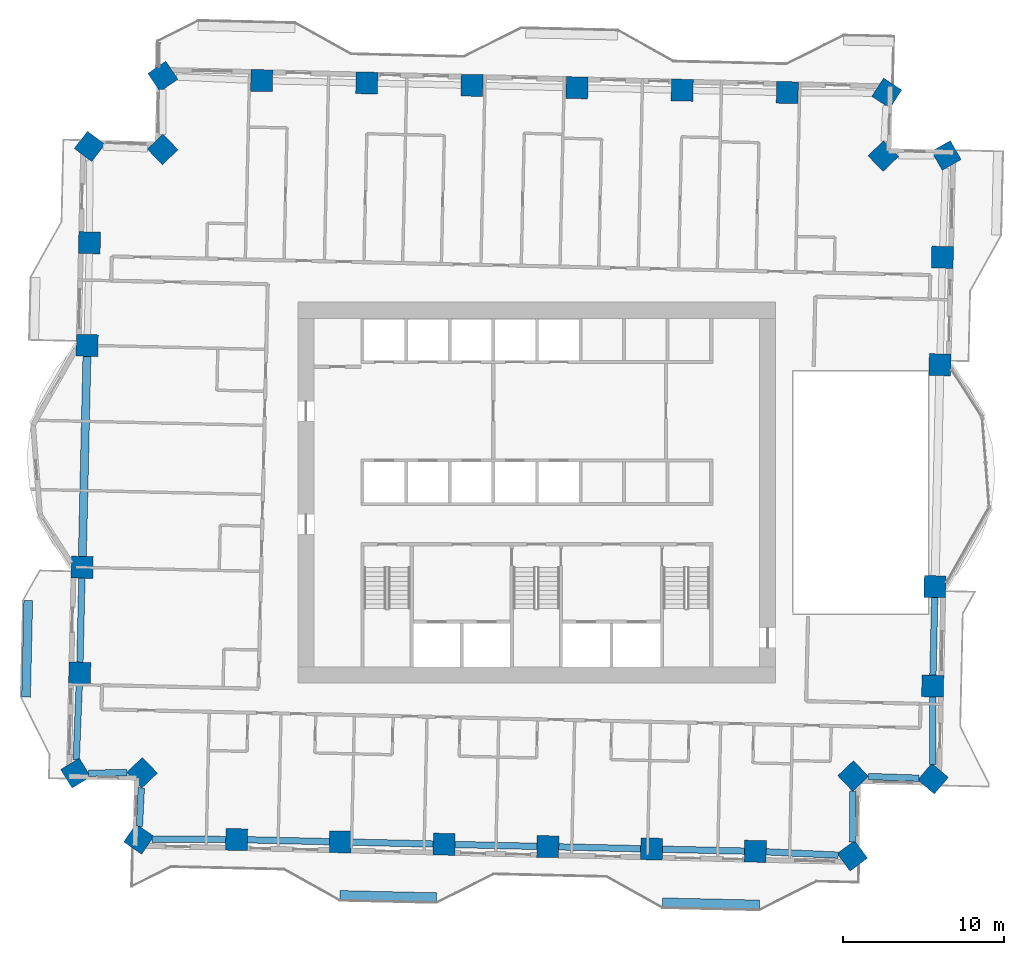
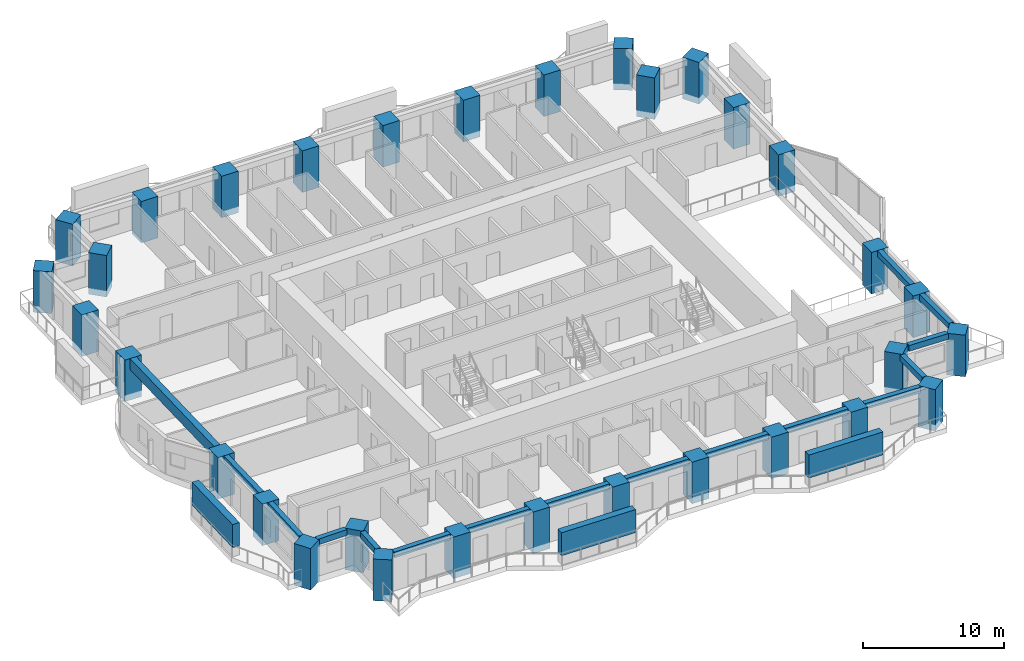
# One storey, part 1 of 16: 32 columns, 16 beams, 3 members.
"""IFC4 building model written with IfcOpenShell, lengths in metres."""

from ifc_helpers import new_model, si_unit, direction, frame, origin, origin_2d, place, context, subcontext, project, spatial, rectangle, extrude, material, material_profile, profile_set, type_object, element, save


model = new_model("IFC4")

# Units and contexts
model_context = context("Model", 3, precision=1e-05, world=origin(), true_north=direction((0.0, 1.0)))
body_context = subcontext(model_context, "Body", "Model", "MODEL_VIEW")
ifc_project = project(units=[si_unit("LENGTHUNIT", "METRE"), si_unit("AREAUNIT", "SQUARE_METRE"), si_unit("VOLUMEUNIT", "CUBIC_METRE"), si_unit("PLANEANGLEUNIT", "RADIAN"), si_unit("MASSUNIT", "GRAM", prefix="KILO")], contexts=[model_context])

# Site, building, storey
site_placement = place(None, origin())
site = spatial("IfcSite", under=ifc_project, at=site_placement, CompositionType="ELEMENT")
building_placement = place(site_placement, origin())
building = spatial("IfcBuilding", under=site, at=building_placement, Name="Mangrove Gate Tower", CompositionType="ELEMENT")
storey_placement = place(building_placement, frame((0.0, 0.0, 116.300048828125)))
storey = spatial("IfcBuildingStorey", under=building, at=storey_placement, Name="L29", CompositionType="ELEMENT", Elevation=116.300048828125)

# Columns
ifc_material_1 = material(Name="Concrete C70/85", Category="concrete")
ifc_material_profile_1 = material_profile(ifc_material_1, rectangle(XDim=1.35009765625, YDim=1.35009765625, at=origin_2d()))
ifc_profile_set_1 = profile_set([ifc_material_profile_1], Name="Concrete C70/85")
column_type = type_object("IfcColumnType", Name="Column RC 1350x1350 C70/85", PredefinedType="COLUMN", material=ifc_profile_set_1)
for number, where, z_axis, x_axis, name in (
    (1, (-28.17822265625, -4.624267578125, -0.550048828125), (0.0, 0.0, 1.0), (-0.022695691547, -0.999742419619, 0.0), "Column L29 W05"),
    (2, (-28.3271484375, -11.184326171875, -0.550048828125), (0.0, 0.0, 1.0), (-0.022705829297, -0.999742189425, 0.0), "Column L29 W06"),
    (3, (-28.574462890625, -17.379150390625, -0.550048828125), (0.0, 0.0, 1.0), (0.51980850099, -0.85428281166, 0.0), "Column L29 W07"),
    (4, (-24.464111328125, -17.358642578125, -0.550048828125), (0.0, 0.0, 1.0), (0.69093208713, -0.722919671176, 0.0), "Column L29 W08"),
    (5, (-24.6650390625, -21.46728515625, -0.550048828125), (0.0, 0.0, 1.0), (0.824584810142, -0.565738359034, 0.0), "Column L29 S01"),
    (6, (-18.603759765625, -21.4951171875, -0.550048828125), (0.0, 0.0, 1.0), (0.999742156532, -0.022707277547, 0.0), "Column L29 S02"),
    (7, (-12.17578125, -21.64111328125, -0.550048828125), (0.0, 0.0, 1.0), (0.999742156532, -0.022707277547, 0.0), "Column L29 S03"),
    (8, (-5.74755859375, -21.787109375, -0.550048828125), (0.0, 0.0, 1.0), (0.999742156532, -0.022707277547, 0.0), "Column L29 S04"),
    (9, (0.680419921875, -21.93310546875, -0.550048828125), (0.0, 0.0, 1.0), (0.999742156532, -0.022707277547, 0.0), "Column L29 S05"),
    (10, (7.108154296875, -22.0791015625, -0.550048828125), (0.0, 0.0, 1.0), (0.999743919101, -0.022629543109, 0.0), "Column L29 S06"),
    (11, (13.536376953125, -22.22412109375, -0.550048828125), (0.0, 0.0, 1.0), (0.999743919101, -0.022629543109, 0.0), "Column L29 S07"),
    (12, (19.546875, -22.5029296875, -0.550048828125), (0.0, 0.0, 1.0), (0.803200357552, 0.595708977294, 0.0), "Column L29 S08"),
    (13, (19.5966796875, -17.55908203125, -0.550048828125), (0.0, 0.0, 1.0), (0.722976563275, 0.690872556232, 0.0), "Column L29 E01"),
    (14, (24.546630859375, -17.722900390625, -0.550048828125), (0.0, 0.0, 1.0), (0.64744355459, 0.76211340601, 0.0), "Column L29 E02"),
    (15, (24.526123046875, -11.983642578125, -0.550048828125), (0.0, 0.0, 1.0), (0.022717711923, 0.99974191948, 0.0), "Column L29 E03"),
    (16, (24.666259765625, -5.82275390625, -0.550048828125), (0.0, 0.0, 1.0), (0.022698588047, 0.99974235386, 0.0), "Column L29 E04"),
    (17, (24.978271484375, 7.92431640625, -0.550048828125), (0.0, 0.0, 1.0), (0.022682447908, 0.999742720182, 0.0), "Column L29 E05"),
    (18, (25.129150390625, 14.584228515625, -0.550048828125), (0.0, 0.0, 1.0), (0.022665138693, 0.999743112748, 0.0), "Column L29 E06"),
    (19, (25.36865234375, 20.895751953125, -0.550048828125), (0.0, 0.0, 1.0), (-0.495140886792, 0.868812696861, 0.0), "Column L29 E07"),
    (20, (21.468017578125, 20.854736328125, -0.550048828125), (0.0, 0.0, 1.0), (-0.690837236726, 0.723010312757, 0.0), "Column L29 E08"),
    (21, (21.680908203125, 24.7529296875, -0.550048828125), (0.0, 0.0, 1.0), (-0.840169758103, 0.542323499001, 0.0), "Column L29 N01"),
    (22, (15.517822265625, 24.792236328125, -0.550048828125), (0.0, 0.0, 1.0), (-0.999743694319, 0.022639471488, 0.0), "Column L29 N02"),
    (23, (9.004638671875, 24.940185546875, -0.550048828125), (0.0, 0.0, 1.0), (-0.99974195437, 0.02271617643, 0.0), "Column L29 N03"),
    (24, (2.49072265625, 25.088134765625, -0.550048828125), (0.0, 0.0, 1.0), (-0.999741994016, 0.022714431551, 0.0), "Column L29 N04"),
    (25, (-4.0234375, 25.236083984375, -0.550048828125), (0.0, 0.0, 1.0), (-0.999741994016, 0.022714431551, 0.0), "Column L29 N05"),
    (26, (-10.537353515625, 25.38427734375, -0.550048828125), (0.0, 0.0, 1.0), (-0.99974195437, 0.02271617643, 0.0), "Column L29 N06"),
    (27, (-17.05029296875, 25.5322265625, -0.550048828125), (0.0, 0.0, 1.0), (-0.999743694319, 0.022639471488, 0.0), "Column L29 N07"),
    (28, (-23.17236328125, 25.7939453125, -0.550048828125), (0.0, 0.0, 1.0), (-0.829825550582, -0.558022898815, 0.0), "Column L29 N08"),
    (29, (-23.187744140625, 21.26806640625, -0.550048828125), (0.0, 0.0, 1.0), (-0.722988982899, -0.690859559249, 0.0), "Column L29 W01"),
    (30, (-27.714111328125, 21.4521484375, -0.550048828125), (0.0, 0.0, 1.0), (-0.604088172923, -0.796917485901, 0.0), "Column L29 W02"),
    (31, (-27.72216796875, 15.483642578125, -0.550048828125), (0.0, 0.0, 1.0), (-0.02271069751, -0.999742078848, 0.0), "Column L29 W03"),
    (32, (-27.8662109375, 9.122802734375, -0.550048828125), (0.0, 0.0, 1.0), (-0.022671716894, -0.999742963593, 0.0), "Column L29 W04"),
):
    element("IfcColumn", number, at=place(storey_placement, frame(where, z_axis=z_axis, x_axis=x_axis)), inside=storey, type_object=column_type, Name=name, PredefinedType="COLUMN", context=body_context, shape_type="SweptSolid", body=[
        extrude(rectangle(XDim=1.35009765625, YDim=1.35009765625, at=origin_2d()), origin(), (0.0, 0.0, 1.0), 3.60009765625),
    ])

# Members
ifc_material_2 = material(Name="Planting on aluminium trellis", Category="aluminium")
ifc_material_profile_2 = material_profile(ifc_material_2, rectangle(XDim=0.550048828125, YDim=2.0, at=origin_2d()))
ifc_profile_set_2 = profile_set([ifc_material_profile_2], Name="Planting on aluminium trellis")
member_type = type_object("IfcMemberType", Name="Balcony greenery screen 550x2000", PredefinedType="USERDEFINED", material=ifc_profile_set_2)
member_placement = place(storey_placement, frame((-31.652099609375, -12.672119140625, 1.800048828125), z_axis=(0.022662255828, 0.999743178102, 0.0), x_axis=(-0.999743178102, 0.022662255828, 0.0)))
element("IfcMember", 33, at=member_placement, inside=storey, type_object=member_type, Name="GREEN SCREEN L29 W1.1", ObjectType="PLANTING", PredefinedType="USERDEFINED", context=body_context, shape_type="SweptSolid", body=[
    extrude(rectangle(XDim=0.550048828125, YDim=2.0, at=origin_2d()), origin(), (0.0, 0.0, 1.0), 6.00048828125),
])
for number, where, z_axis, x_axis, name in (
    (34, (-12.2060546875, -24.930908203125, 1.800048828125), (0.999743094499, -0.022665943652, 0.0), (0.022665943652, 0.999743094499, 0.0), "GREEN SCREEN L29 S0.1"),
    (35, (7.7890625, -25.385009765625, 1.800048828125), (0.999743094499, -0.022665943652, 0.0), (0.022665943652, 0.999743094499, 0.0), "GREEN SCREEN L29 S1.1"),
):
    element("IfcMember", number, at=place(storey_placement, frame(where, z_axis=z_axis, x_axis=x_axis)), inside=storey, type_object=member_type, Name=name, ObjectType="PLANTING", PredefinedType="USERDEFINED", context=body_context, shape_type="SweptSolid", body=[
        extrude(rectangle(XDim=0.550048828125, YDim=2.0, at=origin_2d()), origin(), (0.0, 0.0, 1.0), 5.99951171875),
    ])

# Beams
ifc_material_3 = material(Name="Concrete C50/60", Category="concrete")
ifc_material_profile_3 = material_profile(ifc_material_3, rectangle(XDim=0.39990234375, YDim=0.5, at=origin_2d()))
ifc_profile_set_3 = profile_set([ifc_material_profile_3], Name="Concrete C50/60")
beam_type_1 = type_object("IfcBeamType", Name="Edge beam RC 400x500 C50/60", PredefinedType="BEAM", material=ifc_profile_set_3)
beam_1_placement = place(storey_placement, frame((-28.193603515625, -5.299072265625, 2.800048828125), z_axis=(-0.02267245742, -0.999742946799, 0.0), x_axis=(0.999742946799, -0.02267245742, 0.0)))
element("IfcBeam", 36, at=beam_1_placement, inside=storey, type_object=beam_type_1, Name="Edge beam L29 00", PredefinedType="BEAM", context=body_context, shape_type="SweptSolid", body=[
    extrude(rectangle(XDim=0.39990234375, YDim=0.5, at=origin_2d()), origin(), (0.0, 0.0, 1.0), 5.211669921875),
])
beam_2_placement = place(storey_placement, frame((-28.35400390625, -11.85888671875, 2.800048828125), z_axis=(-0.039877036275, -0.999204594654, 0.0), x_axis=(0.999204594654, -0.039877036275, 0.0)))
element("IfcBeam", 37, at=beam_2_placement, inside=storey, type_object=beam_type_1, Name="Edge beam L29 01", PredefinedType="BEAM", context=body_context, shape_type="SweptSolid", body=[
    extrude(rectangle(XDim=0.39990234375, YDim=0.5, at=origin_2d()), origin(), (0.0, 0.0, 1.0), 4.714111328125),
])
beam_3_placement = place(storey_placement, frame((-27.78662109375, -17.375244140625, 2.800048828125), z_axis=(0.999987507884, 0.004998407415, 0.0), x_axis=(-0.004998407415, 0.999987507884, 0.0)))
element("IfcBeam", 38, at=beam_3_placement, inside=storey, type_object=beam_type_1, Name="Edge beam L29 02", PredefinedType="BEAM", context=body_context, shape_type="SweptSolid", body=[
    extrude(rectangle(XDim=0.39990234375, YDim=0.5, at=origin_2d()), origin(), (0.0, 0.0, 1.0), 2.393310546875),
])
beam_4_placement = place(storey_placement, frame((-24.509521484375, -18.2880859375, 2.800048828125), z_axis=(-0.048928849018, -0.998802266584, 0.0), x_axis=(0.998802266584, -0.048928849018, 0.0)))
element("IfcBeam", 39, at=beam_4_placement, inside=storey, type_object=beam_type_1, Name="Edge beam L29 03", PredefinedType="BEAM", context=body_context, shape_type="SweptSolid", body=[
    extrude(rectangle(XDim=0.39990234375, YDim=0.5, at=origin_2d()), origin(), (0.0, 0.0, 1.0), 2.39013671875),
])
beam_5_placement = place(storey_placement, frame((-23.84912109375, -21.47119140625, 2.800048828125), z_axis=(0.99998944767, -0.004593968616, 0.0), x_axis=(0.004593968616, 0.99998944767, 0.0)))
element("IfcBeam", 40, at=beam_5_placement, inside=storey, type_object=beam_type_1, Name="Edge beam L29 04", PredefinedType="BEAM", context=body_context, shape_type="SweptSolid", body=[
    extrude(rectangle(XDim=0.39990234375, YDim=0.5, at=origin_2d()), origin(), (0.0, 0.0, 1.0), 4.5703125),
])
beam_6_placement = place(storey_placement, frame((-17.928955078125, -21.510498046875, 2.800048828125), z_axis=(0.999742653716, -0.022685377268, 0.0), x_axis=(0.022685377268, 0.999742653716, 0.0)))
element("IfcBeam", 41, at=beam_6_placement, inside=storey, type_object=beam_type_1, Name="Edge beam L29 05", PredefinedType="BEAM", context=body_context, shape_type="SweptSolid", body=[
    extrude(rectangle(XDim=0.39990234375, YDim=0.5, at=origin_2d()), origin(), (0.0, 0.0, 1.0), 5.07958984375),
])
beam_7_placement = place(storey_placement, frame((-11.500732421875, -21.656494140625, 2.800048828125), z_axis=(0.99974262898, -0.02268646735, 0.0), x_axis=(0.02268646735, 0.99974262898, 0.0)))
element("IfcBeam", 42, at=beam_7_placement, inside=storey, type_object=beam_type_1, Name="Edge beam L29 06", PredefinedType="BEAM", context=body_context, shape_type="SweptSolid", body=[
    extrude(rectangle(XDim=0.39990234375, YDim=0.5, at=origin_2d()), origin(), (0.0, 0.0, 1.0), 5.079345703125),
])
beam_8_placement = place(storey_placement, frame((-5.07275390625, -21.802490234375, 2.800048828125), z_axis=(0.999741562533, -0.022733414695, 0.0), x_axis=(0.022733414695, 0.999741562533, 0.0)))
element("IfcBeam", 43, at=beam_8_placement, inside=storey, type_object=beam_type_1, Name="Edge beam L29 07", PredefinedType="BEAM", context=body_context, shape_type="SweptSolid", body=[
    extrude(rectangle(XDim=0.39990234375, YDim=0.5, at=origin_2d()), origin(), (0.0, 0.0, 1.0), 5.07958984375),
])
for number, where, z_axis, x_axis, name in (
    (44, (1.355224609375, -21.948486328125, 2.800048828125), (0.999741537692, -0.022734507083, 0.0), (0.022734507083, 0.999741537692, 0.0), "Edge beam L29 08"),
    (45, (7.783203125, -22.094482421875, 2.800048828125), (0.999745889005, -0.022542347209, 0.0), (0.022542347209, 0.999745889005, 0.0), "Edge beam L29 09"),
):
    element("IfcBeam", number, at=place(storey_placement, frame(where, z_axis=z_axis, x_axis=x_axis)), inside=storey, type_object=beam_type_1, Name=name, PredefinedType="BEAM", context=body_context, shape_type="SweptSolid", body=[
        extrude(rectangle(XDim=0.39990234375, YDim=0.5, at=origin_2d()), origin(), (0.0, 0.0, 1.0), 5.079345703125),
    ])
beam_9_placement = place(storey_placement, frame((14.210693359375, -22.25537109375, 2.800048828125), z_axis=(0.998927147581, -0.046309327638, 0.0), x_axis=(0.046309327638, 0.998927147581, 0.0)))
element("IfcBeam", 46, at=beam_9_placement, inside=storey, type_object=beam_type_1, Name="Edge beam L29 10", PredefinedType="BEAM", context=body_context, shape_type="SweptSolid", body=[
    extrude(rectangle(XDim=0.39990234375, YDim=0.5, at=origin_2d()), origin(), (0.0, 0.0, 1.0), 4.470703125),
])
beam_10_placement = place(storey_placement, frame((19.555419921875, -21.65625, 2.800048828125), z_axis=(0.01006063159, 0.999949390565, 0.0), x_axis=(-0.999949390565, 0.01006063159, 0.0)))
element("IfcBeam", 47, at=beam_10_placement, inside=storey, type_object=beam_type_1, Name="Edge beam L29 11", PredefinedType="BEAM", context=body_context, shape_type="SweptSolid", body=[
    extrude(rectangle(XDim=0.39990234375, YDim=0.5, at=origin_2d()), origin(), (0.0, 0.0, 1.0), 3.15478515625),
])
beam_11_placement = place(storey_placement, frame((20.541015625, -17.59033203125, 2.800048828125), z_axis=(0.999453316313, -0.03306158664, 0.0), x_axis=(0.03306158664, 0.999453316313, 0.0)))
element("IfcBeam", 48, at=beam_11_placement, inside=storey, type_object=beam_type_1, Name="Edge beam L29 12", PredefinedType="BEAM", context=body_context, shape_type="SweptSolid", body=[
    extrude(rectangle(XDim=0.39990234375, YDim=0.5, at=origin_2d()), origin(), (0.0, 0.0, 1.0), 3.145751953125),
])
beam_12_placement = place(storey_placement, frame((24.54345703125, -16.834716796875, 2.800048828125), z_axis=(-0.003566394531, 0.999993640395, 0.0), x_axis=(-0.999993640395, -0.003566394531, 0.0)))
element("IfcBeam", 49, at=beam_12_placement, inside=storey, type_object=beam_type_1, Name="Edge beam L29 13", PredefinedType="BEAM", context=body_context, shape_type="SweptSolid", body=[
    extrude(rectangle(XDim=0.39990234375, YDim=0.5, at=origin_2d()), origin(), (0.0, 0.0, 1.0), 4.17578125),
])
beam_13_placement = place(storey_placement, frame((24.54150390625, -11.308837890625, 2.800048828125), z_axis=(0.022727167182, 0.999741704578, 0.0), x_axis=(-0.999741704578, 0.022727167182, 0.0)))
element("IfcBeam", 50, at=beam_13_placement, inside=storey, type_object=beam_type_1, Name="Edge beam L29 14", PredefinedType="BEAM", context=body_context, shape_type="SweptSolid", body=[
    extrude(rectangle(XDim=0.39990234375, YDim=0.5, at=origin_2d()), origin(), (0.0, 0.0, 1.0), 4.8125),
])
ifc_material_4 = material(Name="Concrete C50/60", Category="concrete")
ifc_material_profile_4 = material_profile(ifc_material_4, rectangle(XDim=0.5, YDim=0.949951171875, at=origin_2d()))
ifc_profile_set_4 = profile_set([ifc_material_profile_4], Name="Concrete C50/60")
beam_type_2 = type_object("IfcBeamType", Name="Edge beam RC 500x950 C50/60", PredefinedType="BEAM", material=ifc_profile_set_4)
beam_14_placement = place(storey_placement, frame((-27.881591796875, 8.44775390625, 2.574951171875), z_axis=(-0.022680707756, -0.999742759662, 0.0), x_axis=(0.999742759662, -0.022680707756, 0.0)))
element("IfcBeam", 51, at=beam_14_placement, inside=storey, type_object=beam_type_2, Name="Edge beam L29 31", PredefinedType="BEAM", context=body_context, shape_type="SweptSolid", body=[
    extrude(rectangle(XDim=0.5, YDim=0.949951171875, at=origin_2d()), origin(), (0.0, 0.0, 1.0), 12.400390625),
])

save(model, "model.ifc")
